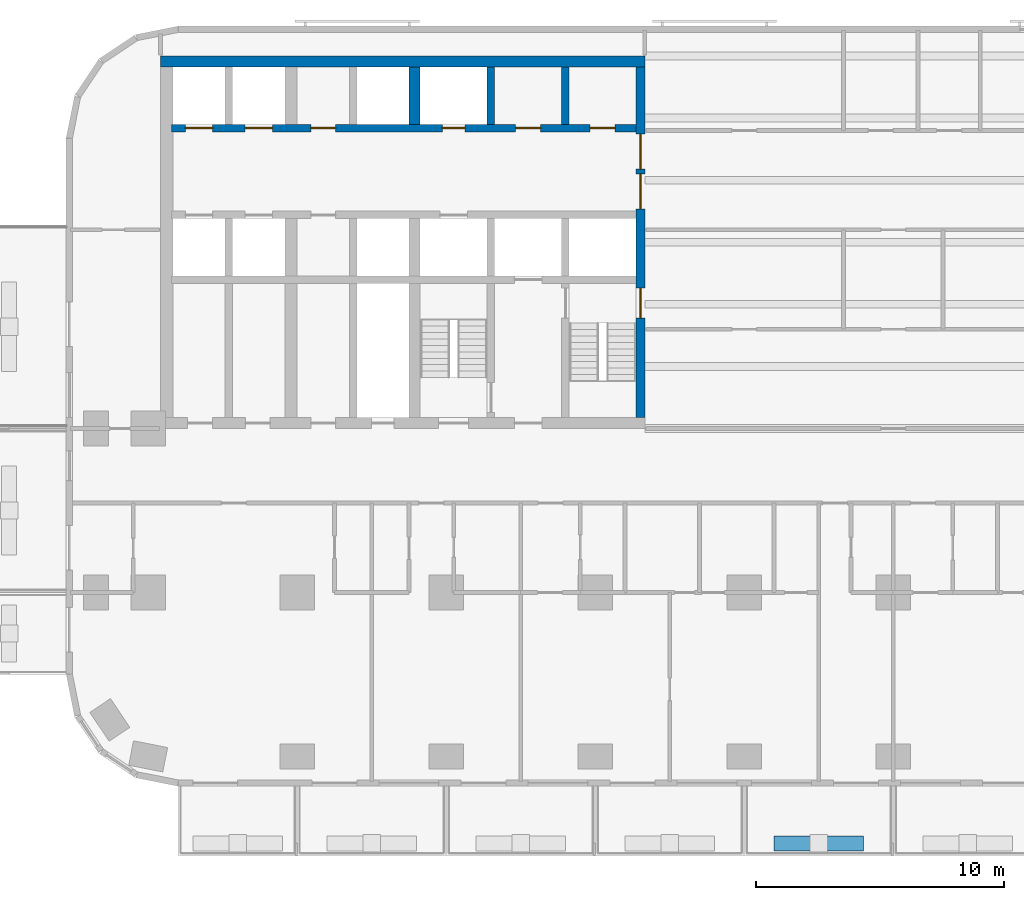
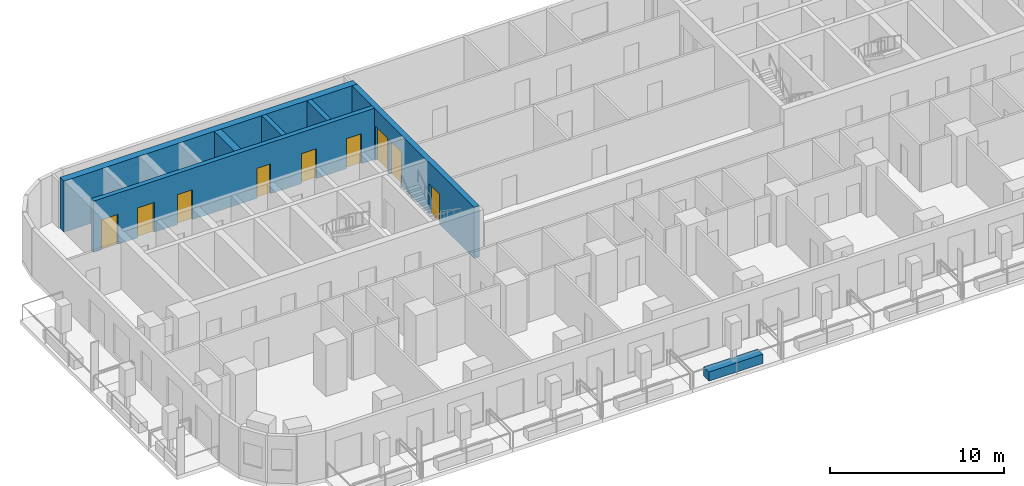
# One storey, part 4 of 14: 9 doors, 7 walls, 9 openings.
"""IFC4 building model written with IfcOpenShell, lengths in metres."""

from ifc_helpers import new_model, si_unit, direction, frame, frame_2d, origin, place, context, subcontext, project, spatial, rectangle, extrude, material, layer, layer_set, type_object, element, fill, save


model = new_model("IFC4")

# Units and contexts
model_context = context("Model", 3, precision=1e-05, world=origin(), true_north=direction((0.0, 1.0)))
body_context = subcontext(model_context, "Body", "Model", "MODEL_VIEW")
ifc_project = project(units=[si_unit("LENGTHUNIT", "METRE"), si_unit("AREAUNIT", "SQUARE_METRE"), si_unit("VOLUMEUNIT", "CUBIC_METRE"), si_unit("PLANEANGLEUNIT", "RADIAN"), si_unit("MASSUNIT", "GRAM", prefix="KILO")], contexts=[model_context])

# Site, building, storey
site_placement = place(None, origin())
site = spatial("IfcSite", under=ifc_project, at=site_placement, CompositionType="ELEMENT")
building_placement = place(site_placement, origin())
building = spatial("IfcBuilding", under=site, at=building_placement, Name="Torana Hotel and Residences", CompositionType="ELEMENT")
storey_placement = place(building_placement, frame((0.0, 0.0, 99.60009765625)))
storey = spatial("IfcBuildingStorey", under=building, at=storey_placement, Name="L25", CompositionType="ELEMENT", Elevation=99.60009765625)

# Wall, openings, doors
ifc_material_1 = material(Name="Concrete C80/95", Category="concrete")
ifc_layer_1 = layer(ifc_material_1, 0.300048828125)
ifc_layer_set_1 = layer_set([ifc_layer_1], Name="CORE WALL 300 C80/95")
wall_type_1 = type_object("IfcWallType", Name="CORE WALL 300 C80/95", PredefinedType="SHEAR", material=ifc_layer_set_1)
wall_1_placement = place(storey_placement, frame((-29.050048828125, -2.89990234375, 0.0), z_axis=(0.0, 0.0, 1.0), x_axis=(1.0, 0.0, 0.0)))
wall_1 = element("IfcWall", 1, at=wall_1_placement, inside=storey, type_object=wall_type_1, Name="Core wall W row-N", PredefinedType="SHEAR", context=body_context, shape_type="SweptSolid", body=[
    extrude(rectangle(XDim=18.699951171875, YDim=0.300048828125, at=frame_2d((9.35009765625, 0.0))), origin(), (0.0, 0.0, 1.0), 3.599853515625),
])
opening_1_placement = place(wall_1_placement, frame((2.949951171875, 0.0, 0.0)))
opening_1 = element("IfcOpeningElement", 2, at=opening_1_placement, cuts=wall_1, Name="Opening LD", PredefinedType="OPENING", context=body_context, shape_type="SweptSolid", body=[
    extrude(rectangle(XDim=1.10009765625, YDim=2.10009765625, at=frame_2d((0.550048828125, 1.050048828125))), frame((0.0, 0.159912109375, 0.0), z_axis=(0.0, -1.0, 0.0), x_axis=(1.0, 0.0, 0.0)), (0.0, 0.0, 1.0), 0.320068359375),
])
opening_2_placement = place(wall_1_placement, frame((0.550048828125, 0.0, 0.0)))
opening_2 = element("IfcOpeningElement", 3, at=opening_2_placement, cuts=wall_1, Name="Opening LD", PredefinedType="OPENING", context=body_context, shape_type="SweptSolid", body=[
    extrude(rectangle(XDim=1.10009765625, YDim=2.10009765625, at=frame_2d((0.550048828125, 1.050048828125))), frame((0.0, 0.159912109375, 0.0), z_axis=(0.0, -1.0, 0.0), x_axis=(1.0, 0.0, 0.0)), (0.0, 0.0, 1.0), 0.320068359375),
])
opening_3_placement = place(wall_1_placement, frame((10.89990234375, 0.0, 0.0)))
opening_3 = element("IfcOpeningElement", 4, at=opening_3_placement, cuts=wall_1, Name="Opening L25-10", PredefinedType="OPENING", context=body_context, shape_type="SweptSolid", body=[
    extrude(rectangle(XDim=0.89990234375, YDim=2.10009765625, at=frame_2d((0.449951171875, 1.050048828125))), frame((0.0, 0.159912109375, 0.0), z_axis=(0.0, -1.0, 0.0), x_axis=(1.0, 0.0, 0.0)), (0.0, 0.0, 1.0), 0.320068359375),
])
opening_4_placement = place(wall_1_placement, frame((16.85009765625, 0.0, 0.0)))
opening_4 = element("IfcOpeningElement", 5, at=opening_4_placement, cuts=wall_1, Name="Opening L25-11", PredefinedType="OPENING", context=body_context, shape_type="SweptSolid", body=[
    extrude(rectangle(XDim=1.0, YDim=2.10009765625, at=frame_2d((0.5, 1.050048828125))), frame((0.0, 0.159912109375, 0.0), z_axis=(0.0, -1.0, 0.0), x_axis=(1.0, 0.0, 0.0)), (0.0, 0.0, 1.0), 0.320068359375),
])
opening_5_placement = place(wall_1_placement, frame((13.85009765625, 0.0, 0.0)))
opening_5 = element("IfcOpeningElement", 6, at=opening_5_placement, cuts=wall_1, Name="Opening L25-12", PredefinedType="OPENING", context=body_context, shape_type="SweptSolid", body=[
    extrude(rectangle(XDim=1.0, YDim=2.10009765625, at=frame_2d((0.5, 1.050048828125))), frame((0.0, 0.159912109375, 0.0), z_axis=(0.0, -1.0, 0.0), x_axis=(1.0, 0.0, 0.0)), (0.0, 0.0, 1.0), 0.320068359375),
])
opening_6_placement = place(wall_1_placement, frame((5.60009765625, 0.0, 0.0)))
opening_6 = element("IfcOpeningElement", 7, at=opening_6_placement, cuts=wall_1, Name="Opening L25-13", PredefinedType="OPENING", context=body_context, shape_type="SweptSolid", body=[
    extrude(rectangle(XDim=1.0, YDim=2.10009765625, at=frame_2d((0.5, 1.050048828125))), frame((0.0, 0.159912109375, 0.0), z_axis=(0.0, -1.0, 0.0), x_axis=(1.0, 0.0, 0.0)), (0.0, 0.0, 1.0), 0.320068359375),
])
ifc_material_2 = material(Name="Steel S235", Category="steel")
door_type_1 = type_object("IfcDoorType", Name="CORE ROOM FIRE DOOR D14 1000x2100", OperationType="SINGLE_SWING_LEFT", PredefinedType="DOOR", material=ifc_material_2)
door_1_placement = place(opening_4_placement, origin())
door_1 = element("IfcDoor", 8, at=door_1_placement, inside=storey, type_object=door_type_1, Name="N0 door L25", OperationType="SINGLE_SWING_RIGHT", OverallHeight=2.10009765625, OverallWidth=1.0, PredefinedType="DOOR", context=body_context, shape_type="SweptSolid", body=[
    extrude(rectangle(XDim=1.0, YDim=2.10009765625, at=frame_2d((0.5, 1.050048828125))), frame((0.0, 0.02490234375, 0.0), z_axis=(0.0, -1.0, 0.0), x_axis=(1.0, 0.0, 0.0)), (0.0, 0.0, 1.0), 0.050048828125),
])
fill(opening_4, door_1)
door_2_placement = place(opening_5_placement, origin())
door_2 = element("IfcDoor", 9, at=door_2_placement, inside=storey, type_object=door_type_1, Name="N1 door L25", OperationType="SINGLE_SWING_RIGHT", OverallHeight=2.10009765625, OverallWidth=1.0, PredefinedType="DOOR", context=body_context, shape_type="SweptSolid", body=[
    extrude(rectangle(XDim=1.0, YDim=2.10009765625, at=frame_2d((0.5, 1.050048828125))), frame((0.0, 0.02490234375, 0.0), z_axis=(0.0, -1.0, 0.0), x_axis=(1.0, 0.0, 0.0)), (0.0, 0.0, 1.0), 0.050048828125),
])
fill(opening_5, door_2)
door_3_placement = place(opening_6_placement, origin())
door_3 = element("IfcDoor", 10, at=door_3_placement, inside=storey, type_object=door_type_1, Name="Free-M1 door L25", OperationType="SINGLE_SWING_RIGHT", OverallHeight=2.10009765625, OverallWidth=1.0, PredefinedType="DOOR", context=body_context, shape_type="SweptSolid", body=[
    extrude(rectangle(XDim=1.0, YDim=2.10009765625, at=frame_2d((0.5, 1.050048828125))), frame((0.0, 0.02490234375, 0.0), z_axis=(0.0, -1.0, 0.0), x_axis=(1.0, 0.0, 0.0)), (0.0, 0.0, 1.0), 0.050048828125),
])
fill(opening_6, door_3)
ifc_material_3 = material(Name="Stainless steel 316", Category="steel")
door_type_2 = type_object("IfcDoorType", Name="LIFT LANDING DOOR LD 1100x2100", OperationType="DOUBLE_DOOR_SLIDING", PredefinedType="USERDEFINED", material=ifc_material_3)
door_4_placement = place(opening_1_placement, origin())
door_4 = element("IfcDoor", 11, at=door_4_placement, inside=storey, type_object=door_type_2, Name="Lift landing door L1 L25", ObjectType="LIFT LANDING DOOR", OperationType="DOUBLE_DOOR_SLIDING", OverallHeight=2.10009765625, OverallWidth=1.10009765625, PredefinedType="USERDEFINED", context=body_context, shape_type="SweptSolid", body=[
    extrude(rectangle(XDim=1.10009765625, YDim=2.10009765625, at=frame_2d((0.550048828125, 1.050048828125))), frame((0.0, 0.02490234375, 0.0), z_axis=(0.0, -1.0, 0.0), x_axis=(1.0, 0.0, 0.0)), (0.0, 0.0, 1.0), 0.050048828125),
])
fill(opening_1, door_4)
door_5_placement = place(opening_2_placement, origin())
door_5 = element("IfcDoor", 12, at=door_5_placement, inside=storey, type_object=door_type_2, Name="Lift landing door L2 L25", ObjectType="LIFT LANDING DOOR", OperationType="DOUBLE_DOOR_SLIDING", OverallHeight=2.10009765625, OverallWidth=1.10009765625, PredefinedType="USERDEFINED", context=body_context, shape_type="SweptSolid", body=[
    extrude(rectangle(XDim=1.10009765625, YDim=2.10009765625, at=frame_2d((0.550048828125, 1.050048828125))), frame((0.0, 0.02490234375, 0.0), z_axis=(0.0, -1.0, 0.0), x_axis=(1.0, 0.0, 0.0)), (0.0, 0.0, 1.0), 0.050048828125),
])
fill(opening_2, door_5)
ifc_material_4 = material(Name="Steel S235", Category="steel")
door_type_3 = type_object("IfcDoorType", Name="RISER ACCESS DOOR D5 900x2100", OperationType="SINGLE_SWING_LEFT", PredefinedType="DOOR", material=ifc_material_4)
door_6_placement = place(opening_3_placement, origin())
door_6 = element("IfcDoor", 13, at=door_6_placement, inside=storey, type_object=door_type_3, Name="N2 door L25", OperationType="SINGLE_SWING_RIGHT", OverallHeight=2.10009765625, OverallWidth=0.89990234375, PredefinedType="DOOR", context=body_context, shape_type="SweptSolid", body=[
    extrude(rectangle(XDim=0.89990234375, YDim=2.10009765625, at=frame_2d((0.449951171875, 1.050048828125))), frame((0.0, 0.02490234375, 0.0), z_axis=(0.0, -1.0, 0.0), x_axis=(1.0, 0.0, 0.0)), (0.0, 0.0, 1.0), 0.050048828125),
])
fill(opening_3, door_6)

# Walls
for number, where, z_axis, x_axis, name in (
    (14, (-13.199951171875, -2.75, 0.0), (0.0, 0.0, 1.0), (0.0, 1.0, 0.0), "Core wall W x3.05-N"),
    (15, (-16.199951171875, -2.75, 0.0), (0.0, 0.0, 1.0), (0.0, 1.0, 0.0), "Core wall W x6.05-N"),
):
    element("IfcWall", number, at=place(storey_placement, frame(where, z_axis=z_axis, x_axis=x_axis)), inside=storey, type_object=wall_type_1, Name=name, PredefinedType="SHEAR", context=body_context, shape_type="SweptSolid", body=[
        extrude(rectangle(XDim=2.300048828125, YDim=0.300048828125, at=frame_2d((1.14990234375, 0.0))), origin(), (0.0, 0.0, 1.0), 3.599853515625),
    ])

# Wall, openings, doors
ifc_material_5 = material(Name="Concrete C80/95", Category="concrete")
ifc_layer_2 = layer(ifc_material_5, 0.35009765625)
ifc_layer_set_2 = layer_set([ifc_layer_2], Name="CORE WALL 350 C80/95")
wall_type_2 = type_object("IfcWallType", Name="CORE WALL 350 C80/95", PredefinedType="SHEAR", material=ifc_layer_set_2)
wall_2_placement = place(storey_placement, frame((-10.175048828125, -14.550048828125, 0.0), z_axis=(0.0, 0.0, 1.0), x_axis=(0.0, 1.0, 0.0)))
wall_2 = element("IfcWall", 16, at=wall_2_placement, inside=storey, type_object=wall_type_2, Name="Core wall W arch", PredefinedType="SHEAR", context=body_context, shape_type="SweptSolid", body=[
    extrude(rectangle(XDim=14.10009765625, YDim=0.35009765625, at=frame_2d((7.050048828125, 0.0))), origin(), (0.0, 0.0, 1.0), 3.599853515625),
])
opening_7_placement = place(wall_2_placement, frame((8.39990234375, 0.0, 0.0)))
opening_7 = element("IfcOpeningElement", 17, at=opening_7_placement, cuts=wall_2, Name="Opening L25-01", PredefinedType="OPENING", context=body_context, shape_type="SweptSolid", body=[
    extrude(rectangle(XDim=1.39990234375, YDim=2.39990234375, at=frame_2d((0.699951171875, 1.199951171875))), frame((0.0, 0.18505859375, 0.0), z_axis=(0.0, -1.0, 0.0), x_axis=(1.0, 0.0, 0.0)), (0.0, 0.0, 1.0), 0.3701171875),
])
opening_8_placement = place(wall_2_placement, frame((10.0, 0.0, 0.0)))
opening_8 = element("IfcOpeningElement", 18, at=opening_8_placement, cuts=wall_2, Name="Opening L25-02", PredefinedType="OPENING", context=body_context, shape_type="SweptSolid", body=[
    extrude(rectangle(XDim=1.39990234375, YDim=2.39990234375, at=frame_2d((0.699951171875, 1.199951171875))), frame((0.0, 0.18505859375, 0.0), z_axis=(0.0, -1.0, 0.0), x_axis=(1.0, 0.0, 0.0)), (0.0, 0.0, 1.0), 0.3701171875),
])
opening_9_placement = place(wall_2_placement, frame((4.0, 0.0, 0.0)))
opening_9 = element("IfcOpeningElement", 19, at=opening_9_placement, cuts=wall_2, Name="Opening L25-03", PredefinedType="OPENING", context=body_context, shape_type="SweptSolid", body=[
    extrude(rectangle(XDim=1.199951171875, YDim=2.10009765625, at=frame_2d((0.60009765625, 1.050048828125))), frame((0.0, 0.18505859375, 0.0), z_axis=(0.0, -1.0, 0.0), x_axis=(1.0, 0.0, 0.0)), (0.0, 0.0, 1.0), 0.3701171875),
])
ifc_material_6 = material(Name="Steel S235", Category="steel")
door_type_4 = type_object("IfcDoorType", Name="LOBBY FIRE DOOR D4 1400x2400", OperationType="DOUBLE_DOOR_SINGLE_SWING", PredefinedType="DOOR", material=ifc_material_6)
door_7_placement = place(opening_7_placement, origin())
door_7 = element("IfcDoor", 20, at=door_7_placement, inside=storey, type_object=door_type_4, Name="Lobby-1 door L25", OperationType="DOUBLE_DOOR_SINGLE_SWING", OverallHeight=2.39990234375, OverallWidth=1.39990234375, PredefinedType="DOOR", context=body_context, shape_type="SweptSolid", body=[
    extrude(rectangle(XDim=1.39990234375, YDim=2.39990234375, at=frame_2d((0.699951171875, 1.199951171875))), frame((0.0, 0.02490234375, 0.0), z_axis=(0.0, -1.0, 0.0), x_axis=(1.0, 0.0, 0.0)), (0.0, 0.0, 1.0), 0.050048828125),
])
fill(opening_7, door_7)
door_8_placement = place(opening_8_placement, origin())
door_8 = element("IfcDoor", 21, at=door_8_placement, inside=storey, type_object=door_type_4, Name="Lobby-2 door L25", OperationType="DOUBLE_DOOR_SINGLE_SWING", OverallHeight=2.39990234375, OverallWidth=1.39990234375, PredefinedType="DOOR", context=body_context, shape_type="SweptSolid", body=[
    extrude(rectangle(XDim=1.39990234375, YDim=2.39990234375, at=frame_2d((0.699951171875, 1.199951171875))), frame((0.0, 0.02490234375, 0.0), z_axis=(0.0, -1.0, 0.0), x_axis=(1.0, 0.0, 0.0)), (0.0, 0.0, 1.0), 0.050048828125),
])
fill(opening_8, door_8)
ifc_material_7 = material(Name="Steel S235", Category="steel")
door_type_5 = type_object("IfcDoorType", Name="STAIR FIRE DOOR D3 1200x2100", OperationType="SINGLE_SWING_LEFT", PredefinedType="DOOR", material=ifc_material_7)
door_9_placement = place(opening_9_placement, origin())
door_9 = element("IfcDoor", 22, at=door_9_placement, inside=storey, type_object=door_type_5, Name="Stair-A door L25", OperationType="SINGLE_SWING_LEFT", OverallHeight=2.10009765625, OverallWidth=1.199951171875, PredefinedType="DOOR", context=body_context, shape_type="SweptSolid", body=[
    extrude(rectangle(XDim=1.199951171875, YDim=2.10009765625, at=frame_2d((0.60009765625, 1.050048828125))), frame((0.0, 0.02490234375, 0.0), z_axis=(0.0, -1.0, 0.0), x_axis=(1.0, 0.0, 0.0)), (0.0, 0.0, 1.0), 0.050048828125),
])
fill(opening_9, door_9)

# Walls
ifc_material_8 = material(Name="Concrete C80/95", Category="concrete")
ifc_layer_3 = layer(ifc_material_8, 0.449951171875)
ifc_layer_set_3 = layer_set([ifc_layer_3], Name="CORE WALL 450 C80/95")
wall_type_3 = type_object("IfcWallType", Name="CORE WALL 450 C80/95", PredefinedType="SHEAR", material=ifc_layer_set_3)
wall_3_placement = place(storey_placement, frame((-29.5, -0.22509765625, 0.0), z_axis=(0.0, 0.0, 1.0), x_axis=(1.0, 0.0, 0.0)))
element("IfcWall", 23, at=wall_3_placement, inside=storey, type_object=wall_type_3, Name="Core wall W rear", PredefinedType="SHEAR", context=body_context, shape_type="SweptSolid", body=[
    extrude(rectangle(XDim=19.5, YDim=0.449951171875, at=frame_2d((9.75, 0.0))), origin(), (0.0, 0.0, 1.0), 3.599853515625),
])
wall_4_placement = place(storey_placement, frame((-19.27490234375, -2.75, 0.0), z_axis=(0.0, 0.0, 1.0), x_axis=(0.0, 1.0, 0.0)))
element("IfcWall", 24, at=wall_4_placement, inside=storey, type_object=wall_type_3, Name="Core wall W hm-N", PredefinedType="SHEAR", context=body_context, shape_type="SweptSolid", body=[
    extrude(rectangle(XDim=2.300048828125, YDim=0.449951171875, at=frame_2d((1.14990234375, 0.0))), origin(), (0.0, 0.0, 1.0), 3.599853515625),
])
ifc_material_9 = material(Name="Concrete C40/50 precast", Category="concrete")
ifc_layer_4 = layer(ifc_material_9, 0.10009765625, Name="Planter shell", Category="structure")
ifc_material_10 = material(Name="Root resistant membrane")
ifc_layer_5 = layer(ifc_material_10, 0.00390625, Name="Waterproofing membrane", Category="membrane")
ifc_material_11 = material(Name="Drainage board with filter fleece")
ifc_layer_6 = layer(ifc_material_11, 0.02001953125, Name="Drainage board", Category="drainage")
ifc_material_12 = material(Name="Growing medium")
ifc_layer_7 = layer(ifc_material_12, 0.47607421875, Name="Planting substrate", Category="soil")
ifc_layer_set_4 = layer_set([ifc_layer_4, ifc_layer_5, ifc_layer_6, ifc_layer_7], Name="PL1 BALCONY PLANTER 600")
wall_type_4 = type_object("IfcWallType", Name="PL1 BALCONY PLANTER 600", PredefinedType="USERDEFINED", material=ifc_layer_set_4)
wall_5_placement = place(storey_placement, frame((-1.199951171875, -31.699951171875, 0.0), z_axis=(0.0, 0.0, 1.0), x_axis=(-1.0, 0.0, 0.0)))
element("IfcWall", 25, at=wall_5_placement, inside=storey, type_object=wall_type_4, Name="Planter 05", ObjectType="PLANTER", PredefinedType="USERDEFINED", context=body_context, shape_type="SweptSolid", body=[
    extrude(rectangle(XDim=3.60009765625, YDim=0.60009765625, at=frame_2d((1.800048828125, 0.0))), origin(), (0.0, 0.0, 1.0), 0.64990234375),
])

save(model, "model.ifc")
